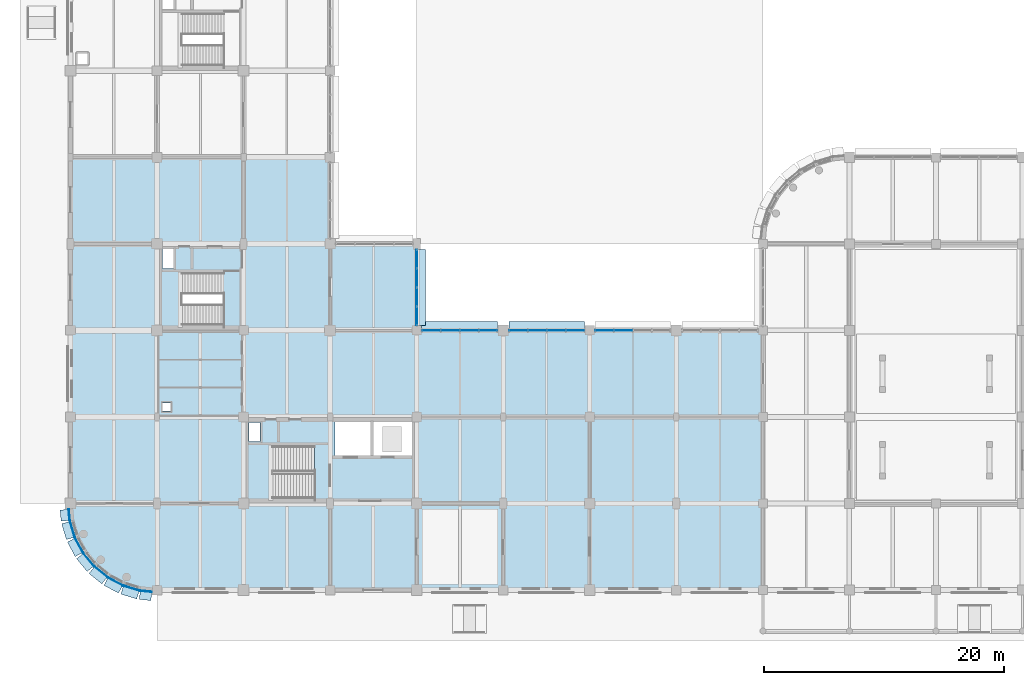
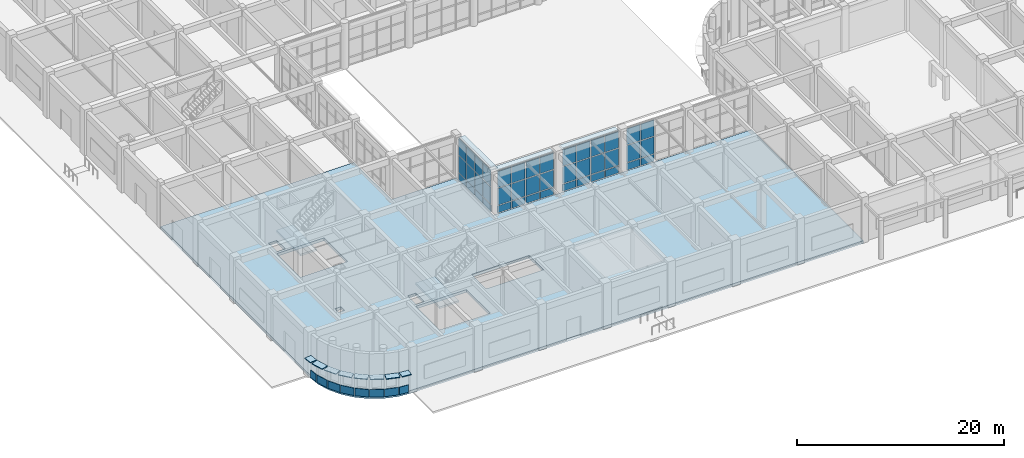
# One storey, part 112 of 160: 61 plates, 3 slabs, 6 elements without a shape of their own.
"""IFC4 building model written with IfcOpenShell, lengths in metres."""

from ifc_helpers import new_model, si_unit, direction, frame, origin, origin_2d, place, context, subcontext, project, spatial, polyline, rectangle, outline, extrude, material, layer, layer_set, type_object, element, aggregate, save


model = new_model("IFC4")

# Units and contexts
model_context = context("Model", 3, precision=1e-05, world=origin(), true_north=direction((0.0, 1.0)))
body_context = subcontext(model_context, "Body", "Model", "MODEL_VIEW")
ifc_project = project(units=[si_unit("LENGTHUNIT", "METRE"), si_unit("AREAUNIT", "SQUARE_METRE"), si_unit("VOLUMEUNIT", "CUBIC_METRE"), si_unit("PLANEANGLEUNIT", "RADIAN"), si_unit("MASSUNIT", "GRAM", prefix="KILO")], contexts=[model_context])

# Site, building, storey
site_placement = place(None, origin())
site = spatial("IfcSite", under=ifc_project, at=site_placement, CompositionType="ELEMENT")
building_placement = place(site_placement, origin())
building = spatial("IfcBuilding", under=site, at=building_placement, Name="Thalmaran Polytechnic", CompositionType="ELEMENT")
storey_placement = place(building_placement, origin())
storey = spatial("IfcBuildingStorey", under=building, at=storey_placement, Name="L00", CompositionType="ELEMENT", Elevation=0.0)

# Plates
ifc_material_1 = material(Name="Anodised aluminium spandrel band", Category="aluminium")
ifc_layer_1 = layer(ifc_material_1, 0.054931640625, Name="Anodised aluminium spandrel band")
ifc_layer_set_1 = layer_set([ifc_layer_1], Name="Anodised aluminium spandrel band")
plate_type_1 = type_object("IfcPlateType", Name="PT-BD01", PredefinedType="SHEET", material=ifc_layer_set_1)
plate_1_placement = place(storey_placement, frame((-0.103271484375, 6.259521484375, 0.02001953125), z_axis=(0.0, 0.0, 1.0), x_axis=(-0.09801714033, 0.995184726672, 0.0)))
element("IfcPlate", 1, at=plate_1_placement, inside=storey, type_object=plate_type_1, Name="Streamline Horizontal Spandrel Band L00-001", PredefinedType="SHEET", context=body_context, shape_type="SweptSolid", body=[
    extrude(rectangle(XDim=0.931396484375, YDim=0.054931640625, at=origin_2d()), origin(), (0.0, 0.0, 1.0), 0.8798828125),
])
plate_2_placement = place(storey_placement, frame((6.279541015625, -0.105224609375, 0.02001953125), z_axis=(0.0, 0.0, 1.0), x_axis=(-0.995184726672, 0.09801714033, 0.0)))
element("IfcPlate", 2, at=plate_2_placement, inside=storey, type_object=plate_type_1, Name="Streamline Horizontal Spandrel Band L00-092", PredefinedType="SHEET", context=body_context, shape_type="SweptSolid", body=[
    extrude(rectangle(XDim=0.971435546875, YDim=0.054931640625, at=origin_2d()), origin(), (0.0, 0.0, 1.0), 0.8798828125),
])
for number, where, z_axis, x_axis, name in (
    (3, (5.0634765625, 0.156494140625, 0.02001953125), (0.0, 0.0, 1.0), (-0.956940335732, 0.290284677254, 0.0), "Streamline Horizontal Spandrel Band L00-093"),
    (4, (3.73046875, 0.708740234375, 0.02001953125), (0.0, 0.0, 1.0), (-0.881921264348, 0.471396736826, 0.0), "Streamline Horizontal Spandrel Band L00-094"),
    (5, (2.53076171875, 1.510498046875, 0.02001953125), (0.0, 0.0, 1.0), (-0.773010453363, 0.634393284164, 0.0), "Streamline Horizontal Spandrel Band L00-095"),
    (6, (1.510498046875, 2.53076171875, 0.02001953125), (0.0, 0.0, 1.0), (-0.634393284164, 0.773010453363, 0.0), "Streamline Horizontal Spandrel Band L00-096"),
    (7, (0.708740234375, 3.73046875, 0.02001953125), (0.0, 0.0, 1.0), (-0.471396736826, 0.881921264348, 0.0), "Streamline Horizontal Spandrel Band L00-097"),
    (8, (0.156494140625, 5.0634765625, 0.02001953125), (0.0, 0.0, 1.0), (-0.290284677254, 0.956940335732, 0.0), "Streamline Horizontal Spandrel Band L00-098"),
):
    element("IfcPlate", number, at=place(storey_placement, frame(where, z_axis=z_axis, x_axis=x_axis)), inside=storey, type_object=plate_type_1, Name=name, PredefinedType="SHEET", context=body_context, shape_type="SweptSolid", body=[
        extrude(rectangle(XDim=1.371337890625, YDim=0.054931640625, at=origin_2d()), origin(), (0.0, 0.0, 1.0), 0.8798828125),
    ])
ifc_material_2 = material(Name="Anodised aluminium sun-hood eyebrow", Category="aluminium")
ifc_layer_2 = layer(ifc_material_2, 0.0849609375, Name="Anodised aluminium sun-hood eyebrow")
ifc_layer_set_2 = layer_set([ifc_layer_2], Name="Anodised aluminium sun-hood eyebrow")
plate_type_2 = type_object("IfcPlateType", Name="PT-EB01", PredefinedType="SHEET", material=ifc_layer_set_2)
plate_3_placement = place(storey_placement, frame((-0.44677734375, 6.225830078125, 2.517578125), z_axis=(0.0, 0.0, 1.0), x_axis=(-0.09801714033, 0.995184726672, 0.0)))
element("IfcPlate", 9, at=plate_3_placement, inside=storey, type_object=plate_type_2, Name="Streamline Sun-Hood Eyebrow L00-001", PredefinedType="SHEET", context=body_context, shape_type="SweptSolid", body=[
    extrude(rectangle(XDim=0.931396484375, YDim=0.760009765625, at=origin_2d()), origin(), (0.0, 0.0, 1.0), 0.0849609375),
])
plate_4_placement = place(storey_placement, frame((6.24560546875, -0.44873046875, 2.517578125), z_axis=(0.0, 0.0, 1.0), x_axis=(-0.995184726672, 0.09801714033, 0.0)))
element("IfcPlate", 10, at=plate_4_placement, inside=storey, type_object=plate_type_2, Name="Streamline Sun-Hood Eyebrow L00-092", PredefinedType="SHEET", context=body_context, shape_type="SweptSolid", body=[
    extrude(rectangle(XDim=0.971435546875, YDim=0.760009765625, at=origin_2d()), origin(), (0.0, 0.0, 1.0), 0.0849609375),
])
for number, where, z_axis, x_axis, name in (
    (11, (4.96337890625, -0.173583984375, 2.517578125), (0.0, 0.0, 1.0), (-0.956940335732, 0.290284677254, 0.0), "Streamline Sun-Hood Eyebrow L00-093"),
    (12, (3.567626953125, 0.404541015625, 2.517578125), (0.0, 0.0, 1.0), (-0.881921264348, 0.471396736826, 0.0), "Streamline Sun-Hood Eyebrow L00-094"),
    (13, (2.311767578125, 1.24365234375, 2.517578125), (0.0, 0.0, 1.0), (-0.773010453363, 0.634393284164, 0.0), "Streamline Sun-Hood Eyebrow L00-095"),
    (14, (1.24365234375, 2.311767578125, 2.517578125), (0.0, 0.0, 1.0), (-0.634393284164, 0.773010453363, 0.0), "Streamline Sun-Hood Eyebrow L00-096"),
    (15, (0.404541015625, 3.567626953125, 2.517578125), (0.0, 0.0, 1.0), (-0.471396736826, 0.881921264348, 0.0), "Streamline Sun-Hood Eyebrow L00-097"),
    (16, (-0.173583984375, 4.96337890625, 2.517578125), (0.0, 0.0, 1.0), (-0.290284677254, 0.956940335732, 0.0), "Streamline Sun-Hood Eyebrow L00-098"),
):
    element("IfcPlate", number, at=place(storey_placement, frame(where, z_axis=z_axis, x_axis=x_axis)), inside=storey, type_object=plate_type_2, Name=name, PredefinedType="SHEET", context=body_context, shape_type="SweptSolid", body=[
        extrude(rectangle(XDim=1.371337890625, YDim=0.760009765625, at=origin_2d()), origin(), (0.0, 0.0, 1.0), 0.0849609375),
    ])
for number, where, z_axis, x_axis, name in (
    (17, (29.159912109375, 25.175048828125, 4.987548828125), (0.0, 0.0, 1.0), (0.0, -1.0, 0.0), "Streamline Sun-Hood Eyebrow L00-CW049"),
    (18, (32.375, 21.9599609375, 4.987548828125), (0.0, 0.0, 1.0), (1.0, 0.0, 0.0), "Streamline Sun-Hood Eyebrow L00-CW050"),
    (19, (39.625, 21.9599609375, 4.987548828125), (0.0, 0.0, 1.0), (1.0, 0.0, 0.0), "Streamline Sun-Hood Eyebrow L00-CW051"),
):
    element("IfcPlate", number, at=place(storey_placement, frame(where, z_axis=z_axis, x_axis=x_axis)), inside=storey, type_object=plate_type_2, Name=name, PredefinedType="SHEET", context=body_context, shape_type="SweptSolid", body=[
        extrude(rectangle(XDim=6.31005859375, YDim=0.760009765625, at=origin_2d()), origin(), (0.0, 0.0, 1.0), 0.0849609375),
    ])

# Curtain wall, plates
ifc_material_3 = material(Name="Aluminium 6063-T6", Category="aluminium")
curtain_wall_type = type_object("IfcCurtainWallType", Name="CW-UC01", PredefinedType="USERDEFINED", material=ifc_material_3)
curtain_wall_1_placement = place(storey_placement, origin())
curtain_wall_1 = element("IfcCurtainWall", 20, at=curtain_wall_1_placement, inside=storey, type_object=curtain_wall_type, Name="Curtain Wall CW-L00-050", ObjectType="UNITISED CURTAIN WALL", PredefinedType="USERDEFINED")
ifc_material_4 = material(Name="Solar-control double low-E glass", Category="glass")
ifc_layer_3 = layer(ifc_material_4, 0.035888671875, Name="Solar-control double low-E glass")
ifc_layer_set_3 = layer_set([ifc_layer_3], Name="Solar-control double low-E glass")
plate_type_3 = type_object("IfcPlateType", Name="PT-GL01", PredefinedType="CURTAIN_PANEL", material=ifc_layer_set_3)
plate_5_placement = place(storey_placement, frame((29.99365234375, 21.60009765625, 1.0), z_axis=(0.0, 0.0, 1.0), x_axis=(1.0, 0.0, 0.0)))
plate_5 = element("IfcPlate", 21, at=plate_5_placement, type_object=plate_type_3, Name="CW-L00-050 Vision Panel 1-2", PredefinedType="CURTAIN_PANEL", context=body_context, shape_type="SweptSolid", body=[
    extrude(rectangle(XDim=1.487548828125, YDim=0.035888671875, at=origin_2d()), origin(), (0.0, 0.0, 1.0), 1.985107421875),
])
plate_6_placement = place(storey_placement, frame((29.99365234375, 21.60009765625, 3.06494140625), z_axis=(0.0, 0.0, 1.0), x_axis=(1.0, 0.0, 0.0)))
plate_6 = element("IfcPlate", 22, at=plate_6_placement, type_object=plate_type_3, Name="CW-L00-050 Vision Panel 1-3", PredefinedType="CURTAIN_PANEL", context=body_context, shape_type="SweptSolid", body=[
    extrude(rectangle(XDim=1.487548828125, YDim=0.035888671875, at=origin_2d()), origin(), (0.0, 0.0, 1.0), 1.925048828125),
])
plate_7_placement = place(storey_placement, frame((31.581298828125, 21.60009765625, 1.0), z_axis=(0.0, 0.0, 1.0), x_axis=(1.0, 0.0, 0.0)))
plate_7 = element("IfcPlate", 23, at=plate_7_placement, type_object=plate_type_3, Name="CW-L00-050 Vision Panel 2-2", PredefinedType="CURTAIN_PANEL", context=body_context, shape_type="SweptSolid", body=[
    extrude(rectangle(XDim=1.487548828125, YDim=0.035888671875, at=origin_2d()), origin(), (0.0, 0.0, 1.0), 1.985107421875),
])
plate_8_placement = place(storey_placement, frame((31.581298828125, 21.60009765625, 3.06494140625), z_axis=(0.0, 0.0, 1.0), x_axis=(1.0, 0.0, 0.0)))
plate_8 = element("IfcPlate", 24, at=plate_8_placement, type_object=plate_type_3, Name="CW-L00-050 Vision Panel 2-3", PredefinedType="CURTAIN_PANEL", context=body_context, shape_type="SweptSolid", body=[
    extrude(rectangle(XDim=1.487548828125, YDim=0.035888671875, at=origin_2d()), origin(), (0.0, 0.0, 1.0), 1.925048828125),
])
plate_9_placement = place(storey_placement, frame((33.168701171875, 21.60009765625, 1.0), z_axis=(0.0, 0.0, 1.0), x_axis=(1.0, 0.0, 0.0)))
plate_9 = element("IfcPlate", 25, at=plate_9_placement, type_object=plate_type_3, Name="CW-L00-050 Vision Panel 3-2", PredefinedType="CURTAIN_PANEL", context=body_context, shape_type="SweptSolid", body=[
    extrude(rectangle(XDim=1.487548828125, YDim=0.035888671875, at=origin_2d()), origin(), (0.0, 0.0, 1.0), 1.985107421875),
])
plate_10_placement = place(storey_placement, frame((33.168701171875, 21.60009765625, 3.06494140625), z_axis=(0.0, 0.0, 1.0), x_axis=(1.0, 0.0, 0.0)))
plate_10 = element("IfcPlate", 26, at=plate_10_placement, type_object=plate_type_3, Name="CW-L00-050 Vision Panel 3-3", PredefinedType="CURTAIN_PANEL", context=body_context, shape_type="SweptSolid", body=[
    extrude(rectangle(XDim=1.487548828125, YDim=0.035888671875, at=origin_2d()), origin(), (0.0, 0.0, 1.0), 1.925048828125),
])
plate_11_placement = place(storey_placement, frame((34.75634765625, 21.60009765625, 1.0), z_axis=(0.0, 0.0, 1.0), x_axis=(1.0, 0.0, 0.0)))
plate_11 = element("IfcPlate", 27, at=plate_11_placement, type_object=plate_type_3, Name="CW-L00-050 Vision Panel 4-2", PredefinedType="CURTAIN_PANEL", context=body_context, shape_type="SweptSolid", body=[
    extrude(rectangle(XDim=1.487548828125, YDim=0.035888671875, at=origin_2d()), origin(), (0.0, 0.0, 1.0), 1.985107421875),
])
plate_12_placement = place(storey_placement, frame((34.75634765625, 21.60009765625, 3.06494140625), z_axis=(0.0, 0.0, 1.0), x_axis=(1.0, 0.0, 0.0)))
plate_12 = element("IfcPlate", 28, at=plate_12_placement, type_object=plate_type_3, Name="CW-L00-050 Vision Panel 4-3", PredefinedType="CURTAIN_PANEL", context=body_context, shape_type="SweptSolid", body=[
    extrude(rectangle(XDim=1.487548828125, YDim=0.035888671875, at=origin_2d()), origin(), (0.0, 0.0, 1.0), 1.925048828125),
])

curtain_wall_2_placement = place(storey_placement, origin())
curtain_wall_2 = element("IfcCurtainWall", 29, at=curtain_wall_2_placement, inside=storey, type_object=curtain_wall_type, Name="Curtain Wall CW-L00-051", ObjectType="UNITISED CURTAIN WALL", PredefinedType="USERDEFINED")
ifc_layer_4 = layer(ifc_material_4, 0.035888671875, Name="Solar-control double low-E glass")
ifc_layer_set_4 = layer_set([ifc_layer_4], Name="Solar-control double low-E glass")
plate_type_4 = type_object("IfcPlateType", Name="PT-GL02", PredefinedType="CURTAIN_PANEL", material=ifc_layer_set_4)
plate_13_placement = place(storey_placement, frame((37.24365234375, 21.60009765625, 1.0), z_axis=(0.0, 0.0, 1.0), x_axis=(1.0, 0.0, 0.0)))
plate_13 = element("IfcPlate", 30, at=plate_13_placement, type_object=plate_type_4, Name="CW-L00-051 Vision Panel 1-2", PredefinedType="CURTAIN_PANEL", context=body_context, shape_type="SweptSolid", body=[
    extrude(rectangle(XDim=1.487548828125, YDim=0.035888671875, at=origin_2d()), origin(), (0.0, 0.0, 1.0), 1.985107421875),
])
plate_14_placement = place(storey_placement, frame((37.24365234375, 21.60009765625, 3.06494140625), z_axis=(0.0, 0.0, 1.0), x_axis=(1.0, 0.0, 0.0)))
plate_14 = element("IfcPlate", 31, at=plate_14_placement, type_object=plate_type_4, Name="CW-L00-051 Vision Panel 1-3", PredefinedType="CURTAIN_PANEL", context=body_context, shape_type="SweptSolid", body=[
    extrude(rectangle(XDim=1.487548828125, YDim=0.035888671875, at=origin_2d()), origin(), (0.0, 0.0, 1.0), 1.925048828125),
])
plate_15_placement = place(storey_placement, frame((38.831298828125, 21.60009765625, 1.0), z_axis=(0.0, 0.0, 1.0), x_axis=(1.0, 0.0, 0.0)))
plate_15 = element("IfcPlate", 32, at=plate_15_placement, type_object=plate_type_4, Name="CW-L00-051 Vision Panel 2-2", PredefinedType="CURTAIN_PANEL", context=body_context, shape_type="SweptSolid", body=[
    extrude(rectangle(XDim=1.487548828125, YDim=0.035888671875, at=origin_2d()), origin(), (0.0, 0.0, 1.0), 1.985107421875),
])
plate_16_placement = place(storey_placement, frame((38.831298828125, 21.60009765625, 3.06494140625), z_axis=(0.0, 0.0, 1.0), x_axis=(1.0, 0.0, 0.0)))
plate_16 = element("IfcPlate", 33, at=plate_16_placement, type_object=plate_type_4, Name="CW-L00-051 Vision Panel 2-3", PredefinedType="CURTAIN_PANEL", context=body_context, shape_type="SweptSolid", body=[
    extrude(rectangle(XDim=1.487548828125, YDim=0.035888671875, at=origin_2d()), origin(), (0.0, 0.0, 1.0), 1.925048828125),
])
plate_17_placement = place(storey_placement, frame((40.418701171875, 21.60009765625, 1.0), z_axis=(0.0, 0.0, 1.0), x_axis=(1.0, 0.0, 0.0)))
plate_17 = element("IfcPlate", 34, at=plate_17_placement, type_object=plate_type_4, Name="CW-L00-051 Vision Panel 3-2", PredefinedType="CURTAIN_PANEL", context=body_context, shape_type="SweptSolid", body=[
    extrude(rectangle(XDim=1.487548828125, YDim=0.035888671875, at=origin_2d()), origin(), (0.0, 0.0, 1.0), 1.985107421875),
])
plate_18_placement = place(storey_placement, frame((40.418701171875, 21.60009765625, 3.06494140625), z_axis=(0.0, 0.0, 1.0), x_axis=(1.0, 0.0, 0.0)))
plate_18 = element("IfcPlate", 35, at=plate_18_placement, type_object=plate_type_4, Name="CW-L00-051 Vision Panel 3-3", PredefinedType="CURTAIN_PANEL", context=body_context, shape_type="SweptSolid", body=[
    extrude(rectangle(XDim=1.487548828125, YDim=0.035888671875, at=origin_2d()), origin(), (0.0, 0.0, 1.0), 1.925048828125),
])
plate_19_placement = place(storey_placement, frame((42.00634765625, 21.60009765625, 1.0), z_axis=(0.0, 0.0, 1.0), x_axis=(1.0, 0.0, 0.0)))
plate_19 = element("IfcPlate", 36, at=plate_19_placement, type_object=plate_type_4, Name="CW-L00-051 Vision Panel 4-2", PredefinedType="CURTAIN_PANEL", context=body_context, shape_type="SweptSolid", body=[
    extrude(rectangle(XDim=1.487548828125, YDim=0.035888671875, at=origin_2d()), origin(), (0.0, 0.0, 1.0), 1.985107421875),
])
plate_20_placement = place(storey_placement, frame((42.00634765625, 21.60009765625, 3.06494140625), z_axis=(0.0, 0.0, 1.0), x_axis=(1.0, 0.0, 0.0)))
plate_20 = element("IfcPlate", 37, at=plate_20_placement, type_object=plate_type_4, Name="CW-L00-051 Vision Panel 4-3", PredefinedType="CURTAIN_PANEL", context=body_context, shape_type="SweptSolid", body=[
    extrude(rectangle(XDim=1.487548828125, YDim=0.035888671875, at=origin_2d()), origin(), (0.0, 0.0, 1.0), 1.925048828125),
])

curtain_wall_3_placement = place(storey_placement, origin())
curtain_wall_3 = element("IfcCurtainWall", 38, at=curtain_wall_3_placement, inside=storey, type_object=curtain_wall_type, Name="Curtain Wall CW-L00-052", ObjectType="UNITISED CURTAIN WALL", PredefinedType="USERDEFINED")
ifc_layer_5 = layer(ifc_material_4, 0.035888671875, Name="Solar-control double low-E glass")
ifc_layer_set_5 = layer_set([ifc_layer_5], Name="Solar-control double low-E glass")
plate_type_5 = type_object("IfcPlateType", Name="PT-GL03", PredefinedType="CURTAIN_PANEL", material=ifc_layer_set_5)
plate_21_placement = place(storey_placement, frame((44.393798828125, 21.60009765625, 1.0), z_axis=(0.0, 0.0, 1.0), x_axis=(1.0, 0.0, 0.0)))
plate_21 = element("IfcPlate", 39, at=plate_21_placement, type_object=plate_type_5, Name="CW-L00-052 Vision Panel 1-2", PredefinedType="CURTAIN_PANEL", context=body_context, shape_type="SweptSolid", body=[
    extrude(rectangle(XDim=1.487548828125, YDim=0.035888671875, at=origin_2d()), origin(), (0.0, 0.0, 1.0), 1.985107421875),
])
plate_22_placement = place(storey_placement, frame((44.393798828125, 21.60009765625, 3.06494140625), z_axis=(0.0, 0.0, 1.0), x_axis=(1.0, 0.0, 0.0)))
plate_22 = element("IfcPlate", 40, at=plate_22_placement, type_object=plate_type_5, Name="CW-L00-052 Vision Panel 1-3", PredefinedType="CURTAIN_PANEL", context=body_context, shape_type="SweptSolid", body=[
    extrude(rectangle(XDim=1.487548828125, YDim=0.035888671875, at=origin_2d()), origin(), (0.0, 0.0, 1.0), 1.925048828125),
])
plate_23_placement = place(storey_placement, frame((45.981201171875, 21.60009765625, 1.0), z_axis=(0.0, 0.0, 1.0), x_axis=(1.0, 0.0, 0.0)))
plate_23 = element("IfcPlate", 41, at=plate_23_placement, type_object=plate_type_5, Name="CW-L00-052 Vision Panel 2-2", PredefinedType="CURTAIN_PANEL", context=body_context, shape_type="SweptSolid", body=[
    extrude(rectangle(XDim=1.487548828125, YDim=0.035888671875, at=origin_2d()), origin(), (0.0, 0.0, 1.0), 1.985107421875),
])
plate_24_placement = place(storey_placement, frame((45.981201171875, 21.60009765625, 3.06494140625), z_axis=(0.0, 0.0, 1.0), x_axis=(1.0, 0.0, 0.0)))
plate_24 = element("IfcPlate", 42, at=plate_24_placement, type_object=plate_type_5, Name="CW-L00-052 Vision Panel 2-3", PredefinedType="CURTAIN_PANEL", context=body_context, shape_type="SweptSolid", body=[
    extrude(rectangle(XDim=1.487548828125, YDim=0.035888671875, at=origin_2d()), origin(), (0.0, 0.0, 1.0), 1.925048828125),
])

curtain_wall_4_placement = place(storey_placement, origin())
curtain_wall_4 = element("IfcCurtainWall", 43, at=curtain_wall_4_placement, inside=storey, type_object=curtain_wall_type, Name="Curtain Wall CW-L00-049", ObjectType="UNITISED CURTAIN WALL", PredefinedType="USERDEFINED")
ifc_layer_6 = layer(ifc_material_4, 0.035888671875, Name="Solar-control double low-E glass")
ifc_layer_set_6 = layer_set([ifc_layer_6], Name="Solar-control double low-E glass")
plate_type_6 = type_object("IfcPlateType", Name="PT-GL05", PredefinedType="CURTAIN_PANEL", material=ifc_layer_set_6)
plate_25_placement = place(storey_placement, frame((28.800048828125, 27.55615234375, 1.0), z_axis=(0.0, 0.0, 1.0), x_axis=(0.0, -1.0, 0.0)))
plate_25 = element("IfcPlate", 44, at=plate_25_placement, type_object=plate_type_6, Name="CW-L00-049 Vision Panel 1-2", PredefinedType="CURTAIN_PANEL", context=body_context, shape_type="SweptSolid", body=[
    extrude(rectangle(XDim=1.487548828125, YDim=0.035888671875, at=origin_2d()), origin(), (0.0, 0.0, 1.0), 1.985107421875),
])
plate_26_placement = place(storey_placement, frame((28.800048828125, 27.55615234375, 3.06494140625), z_axis=(0.0, 0.0, 1.0), x_axis=(0.0, -1.0, 0.0)))
plate_26 = element("IfcPlate", 45, at=plate_26_placement, type_object=plate_type_6, Name="CW-L00-049 Vision Panel 1-3", PredefinedType="CURTAIN_PANEL", context=body_context, shape_type="SweptSolid", body=[
    extrude(rectangle(XDim=1.487548828125, YDim=0.035888671875, at=origin_2d()), origin(), (0.0, 0.0, 1.0), 1.925048828125),
])
plate_27_placement = place(storey_placement, frame((28.800048828125, 25.96875, 1.0), z_axis=(0.0, 0.0, 1.0), x_axis=(0.0, -1.0, 0.0)))
plate_27 = element("IfcPlate", 46, at=plate_27_placement, type_object=plate_type_6, Name="CW-L00-049 Vision Panel 2-2", PredefinedType="CURTAIN_PANEL", context=body_context, shape_type="SweptSolid", body=[
    extrude(rectangle(XDim=1.487548828125, YDim=0.035888671875, at=origin_2d()), origin(), (0.0, 0.0, 1.0), 1.985107421875),
])
plate_28_placement = place(storey_placement, frame((28.800048828125, 25.96875, 3.06494140625), z_axis=(0.0, 0.0, 1.0), x_axis=(0.0, -1.0, 0.0)))
plate_28 = element("IfcPlate", 47, at=plate_28_placement, type_object=plate_type_6, Name="CW-L00-049 Vision Panel 2-3", PredefinedType="CURTAIN_PANEL", context=body_context, shape_type="SweptSolid", body=[
    extrude(rectangle(XDim=1.487548828125, YDim=0.035888671875, at=origin_2d()), origin(), (0.0, 0.0, 1.0), 1.925048828125),
])
plate_29_placement = place(storey_placement, frame((28.800048828125, 24.38134765625, 1.0), z_axis=(0.0, 0.0, 1.0), x_axis=(0.0, -1.0, 0.0)))
plate_29 = element("IfcPlate", 48, at=plate_29_placement, type_object=plate_type_6, Name="CW-L00-049 Vision Panel 3-2", PredefinedType="CURTAIN_PANEL", context=body_context, shape_type="SweptSolid", body=[
    extrude(rectangle(XDim=1.487548828125, YDim=0.035888671875, at=origin_2d()), origin(), (0.0, 0.0, 1.0), 1.985107421875),
])
plate_30_placement = place(storey_placement, frame((28.800048828125, 24.38134765625, 3.06494140625), z_axis=(0.0, 0.0, 1.0), x_axis=(0.0, -1.0, 0.0)))
plate_30 = element("IfcPlate", 49, at=plate_30_placement, type_object=plate_type_6, Name="CW-L00-049 Vision Panel 3-3", PredefinedType="CURTAIN_PANEL", context=body_context, shape_type="SweptSolid", body=[
    extrude(rectangle(XDim=1.487548828125, YDim=0.035888671875, at=origin_2d()), origin(), (0.0, 0.0, 1.0), 1.925048828125),
])
plate_31_placement = place(storey_placement, frame((28.800048828125, 22.793701171875, 1.0), z_axis=(0.0, 0.0, 1.0), x_axis=(0.0, -1.0, 0.0)))
plate_31 = element("IfcPlate", 50, at=plate_31_placement, type_object=plate_type_6, Name="CW-L00-049 Vision Panel 4-2", PredefinedType="CURTAIN_PANEL", context=body_context, shape_type="SweptSolid", body=[
    extrude(rectangle(XDim=1.487548828125, YDim=0.035888671875, at=origin_2d()), origin(), (0.0, 0.0, 1.0), 1.985107421875),
])
plate_32_placement = place(storey_placement, frame((28.800048828125, 22.793701171875, 3.06494140625), z_axis=(0.0, 0.0, 1.0), x_axis=(0.0, -1.0, 0.0)))
plate_32 = element("IfcPlate", 51, at=plate_32_placement, type_object=plate_type_6, Name="CW-L00-049 Vision Panel 4-3", PredefinedType="CURTAIN_PANEL", context=body_context, shape_type="SweptSolid", body=[
    extrude(rectangle(XDim=1.487548828125, YDim=0.035888671875, at=origin_2d()), origin(), (0.0, 0.0, 1.0), 1.925048828125),
])

# Plate
ifc_material_5 = material(Name="Insulated anodised aluminium spandrel", Category="aluminium")
ifc_layer_7 = layer(ifc_material_5, 0.06005859375, Name="Insulated anodised aluminium spandrel")
ifc_layer_set_7 = layer_set([ifc_layer_7], Name="Insulated anodised aluminium spandrel")
plate_type_7 = type_object("IfcPlateType", Name="PT-SP01", PredefinedType="CURTAIN_PANEL", material=ifc_layer_set_7)
plate_33_placement = place(storey_placement, frame((37.24365234375, 21.60009765625, 0.10009765625), z_axis=(0.0, 0.0, 1.0), x_axis=(1.0, 0.0, 0.0)))
plate_33 = element("IfcPlate", 52, at=plate_33_placement, type_object=plate_type_7, Name="CW-L00-051 Spandrel Panel 1-1", PredefinedType="CURTAIN_PANEL", context=body_context, shape_type="SweptSolid", body=[
    extrude(rectangle(XDim=1.487548828125, YDim=0.06005859375, at=origin_2d()), origin(), (0.0, 0.0, 1.0), 0.820068359375),
])

plate_34_placement = place(storey_placement, frame((38.831298828125, 21.60009765625, 0.10009765625), z_axis=(0.0, 0.0, 1.0), x_axis=(1.0, 0.0, 0.0)))
plate_34 = element("IfcPlate", 53, at=plate_34_placement, type_object=plate_type_7, Name="CW-L00-051 Spandrel Panel 2-1", PredefinedType="CURTAIN_PANEL", context=body_context, shape_type="SweptSolid", body=[
    extrude(rectangle(XDim=1.487548828125, YDim=0.06005859375, at=origin_2d()), origin(), (0.0, 0.0, 1.0), 0.820068359375),
])

plate_35_placement = place(storey_placement, frame((40.418701171875, 21.60009765625, 0.10009765625), z_axis=(0.0, 0.0, 1.0), x_axis=(1.0, 0.0, 0.0)))
plate_35 = element("IfcPlate", 54, at=plate_35_placement, type_object=plate_type_7, Name="CW-L00-051 Spandrel Panel 3-1", PredefinedType="CURTAIN_PANEL", context=body_context, shape_type="SweptSolid", body=[
    extrude(rectangle(XDim=1.487548828125, YDim=0.06005859375, at=origin_2d()), origin(), (0.0, 0.0, 1.0), 0.820068359375),
])

plate_36_placement = place(storey_placement, frame((42.00634765625, 21.60009765625, 0.10009765625), z_axis=(0.0, 0.0, 1.0), x_axis=(1.0, 0.0, 0.0)))
plate_36 = element("IfcPlate", 55, at=plate_36_placement, type_object=plate_type_7, Name="CW-L00-051 Spandrel Panel 4-1", PredefinedType="CURTAIN_PANEL", context=body_context, shape_type="SweptSolid", body=[
    extrude(rectangle(XDim=1.487548828125, YDim=0.06005859375, at=origin_2d()), origin(), (0.0, 0.0, 1.0), 0.820068359375),
])

aggregate(curtain_wall_2, [plate_33, plate_13, plate_14, plate_34, plate_15, plate_16, plate_35, plate_17, plate_18, plate_36, plate_19, plate_20])

ifc_layer_8 = layer(ifc_material_5, 0.06005859375, Name="Insulated anodised aluminium spandrel")
ifc_layer_set_8 = layer_set([ifc_layer_8], Name="Insulated anodised aluminium spandrel")
plate_type_8 = type_object("IfcPlateType", Name="PT-SP02", PredefinedType="CURTAIN_PANEL", material=ifc_layer_set_8)
plate_37_placement = place(storey_placement, frame((28.800048828125, 27.55615234375, 0.10009765625), z_axis=(0.0, 0.0, 1.0), x_axis=(0.0, -1.0, 0.0)))
plate_37 = element("IfcPlate", 56, at=plate_37_placement, type_object=plate_type_8, Name="CW-L00-049 Spandrel Panel 1-1", PredefinedType="CURTAIN_PANEL", context=body_context, shape_type="SweptSolid", body=[
    extrude(rectangle(XDim=1.487548828125, YDim=0.06005859375, at=origin_2d()), origin(), (0.0, 0.0, 1.0), 0.820068359375),
])

plate_38_placement = place(storey_placement, frame((28.800048828125, 25.96875, 0.10009765625), z_axis=(0.0, 0.0, 1.0), x_axis=(0.0, -1.0, 0.0)))
plate_38 = element("IfcPlate", 57, at=plate_38_placement, type_object=plate_type_8, Name="CW-L00-049 Spandrel Panel 2-1", PredefinedType="CURTAIN_PANEL", context=body_context, shape_type="SweptSolid", body=[
    extrude(rectangle(XDim=1.487548828125, YDim=0.06005859375, at=origin_2d()), origin(), (0.0, 0.0, 1.0), 0.820068359375),
])

plate_39_placement = place(storey_placement, frame((28.800048828125, 24.38134765625, 0.10009765625), z_axis=(0.0, 0.0, 1.0), x_axis=(0.0, -1.0, 0.0)))
plate_39 = element("IfcPlate", 58, at=plate_39_placement, type_object=plate_type_8, Name="CW-L00-049 Spandrel Panel 3-1", PredefinedType="CURTAIN_PANEL", context=body_context, shape_type="SweptSolid", body=[
    extrude(rectangle(XDim=1.487548828125, YDim=0.06005859375, at=origin_2d()), origin(), (0.0, 0.0, 1.0), 0.820068359375),
])

plate_40_placement = place(storey_placement, frame((28.800048828125, 22.793701171875, 0.10009765625), z_axis=(0.0, 0.0, 1.0), x_axis=(0.0, -1.0, 0.0)))
plate_40 = element("IfcPlate", 59, at=plate_40_placement, type_object=plate_type_8, Name="CW-L00-049 Spandrel Panel 4-1", PredefinedType="CURTAIN_PANEL", context=body_context, shape_type="SweptSolid", body=[
    extrude(rectangle(XDim=1.487548828125, YDim=0.06005859375, at=origin_2d()), origin(), (0.0, 0.0, 1.0), 0.820068359375),
])

aggregate(curtain_wall_4, [plate_37, plate_25, plate_26, plate_38, plate_27, plate_28, plate_39, plate_29, plate_30, plate_40, plate_31, plate_32])

plate_41_placement = place(storey_placement, frame((44.393798828125, 21.60009765625, 0.10009765625), z_axis=(0.0, 0.0, 1.0), x_axis=(1.0, 0.0, 0.0)))
plate_41 = element("IfcPlate", 60, at=plate_41_placement, type_object=plate_type_8, Name="CW-L00-052 Spandrel Panel 1-1", PredefinedType="CURTAIN_PANEL", context=body_context, shape_type="SweptSolid", body=[
    extrude(rectangle(XDim=1.487548828125, YDim=0.06005859375, at=origin_2d()), origin(), (0.0, 0.0, 1.0), 0.820068359375),
])

plate_42_placement = place(storey_placement, frame((45.981201171875, 21.60009765625, 0.10009765625), z_axis=(0.0, 0.0, 1.0), x_axis=(1.0, 0.0, 0.0)))
plate_42 = element("IfcPlate", 61, at=plate_42_placement, type_object=plate_type_8, Name="CW-L00-052 Spandrel Panel 2-1", PredefinedType="CURTAIN_PANEL", context=body_context, shape_type="SweptSolid", body=[
    extrude(rectangle(XDim=1.487548828125, YDim=0.06005859375, at=origin_2d()), origin(), (0.0, 0.0, 1.0), 0.820068359375),
])

aggregate(curtain_wall_3, [plate_41, plate_21, plate_22, plate_42, plate_23, plate_24])

ifc_layer_9 = layer(ifc_material_5, 0.06005859375, Name="Insulated anodised aluminium spandrel")
ifc_layer_set_9 = layer_set([ifc_layer_9], Name="Insulated anodised aluminium spandrel")
plate_type_9 = type_object("IfcPlateType", Name="PT-SP03", PredefinedType="CURTAIN_PANEL", material=ifc_layer_set_9)
plate_43_placement = place(storey_placement, frame((29.99365234375, 21.60009765625, 0.10009765625), z_axis=(0.0, 0.0, 1.0), x_axis=(1.0, 0.0, 0.0)))
plate_43 = element("IfcPlate", 62, at=plate_43_placement, type_object=plate_type_9, Name="CW-L00-050 Spandrel Panel 1-1", PredefinedType="CURTAIN_PANEL", context=body_context, shape_type="SweptSolid", body=[
    extrude(rectangle(XDim=1.487548828125, YDim=0.06005859375, at=origin_2d()), origin(), (0.0, 0.0, 1.0), 0.820068359375),
])

plate_44_placement = place(storey_placement, frame((31.581298828125, 21.60009765625, 0.10009765625), z_axis=(0.0, 0.0, 1.0), x_axis=(1.0, 0.0, 0.0)))
plate_44 = element("IfcPlate", 63, at=plate_44_placement, type_object=plate_type_9, Name="CW-L00-050 Spandrel Panel 2-1", PredefinedType="CURTAIN_PANEL", context=body_context, shape_type="SweptSolid", body=[
    extrude(rectangle(XDim=1.487548828125, YDim=0.06005859375, at=origin_2d()), origin(), (0.0, 0.0, 1.0), 0.820068359375),
])

plate_45_placement = place(storey_placement, frame((33.168701171875, 21.60009765625, 0.10009765625), z_axis=(0.0, 0.0, 1.0), x_axis=(1.0, 0.0, 0.0)))
plate_45 = element("IfcPlate", 64, at=plate_45_placement, type_object=plate_type_9, Name="CW-L00-050 Spandrel Panel 3-1", PredefinedType="CURTAIN_PANEL", context=body_context, shape_type="SweptSolid", body=[
    extrude(rectangle(XDim=1.487548828125, YDim=0.06005859375, at=origin_2d()), origin(), (0.0, 0.0, 1.0), 0.820068359375),
])

plate_46_placement = place(storey_placement, frame((34.75634765625, 21.60009765625, 0.10009765625), z_axis=(0.0, 0.0, 1.0), x_axis=(1.0, 0.0, 0.0)))
plate_46 = element("IfcPlate", 65, at=plate_46_placement, type_object=plate_type_9, Name="CW-L00-050 Spandrel Panel 4-1", PredefinedType="CURTAIN_PANEL", context=body_context, shape_type="SweptSolid", body=[
    extrude(rectangle(XDim=1.487548828125, YDim=0.06005859375, at=origin_2d()), origin(), (0.0, 0.0, 1.0), 0.820068359375),
])

aggregate(curtain_wall_1, [plate_43, plate_5, plate_6, plate_44, plate_7, plate_8, plate_45, plate_9, plate_10, plate_46, plate_11, plate_12])

# Slab
ifc_material_6 = material(Name="Concrete C40/50", Category="concrete")
ifc_layer_10 = layer(ifc_material_6, 0.330078125, Name="Concrete C40/50")
ifc_layer_set_10 = layer_set([ifc_layer_10], Name="Concrete C40/50")
slab_type_1 = type_object("IfcSlabType", Name="SL-FL02", PredefinedType="FLOOR", material=ifc_layer_set_10)
slab_1_placement = place(storey_placement, frame((0.0, 0.0, -0.330078125)))
element("IfcSlab", 66, at=slab_1_placement, inside=storey, type_object=slab_type_1, Name="V1S L00 Structural Slab", PredefinedType="FLOOR", context=body_context, shape_type="SweptSolid", body=[
    extrude(outline(polyline([(0.0, 21.60009765625), (0.0, 28.800048828125), (0.0, 36.0), (7.199951171875, 36.0), (14.39990234375, 36.0), (21.60009765625, 36.0), (21.60009765625, 28.800048828125), (28.800048828125, 28.800048828125), (28.800048828125, 21.60009765625), (36.0, 21.60009765625), (43.199951171875, 21.60009765625), (50.39990234375, 21.60009765625), (57.60009765625, 21.60009765625), (57.60009765625, 14.39990234375), (57.60009765625, 7.199951171875), (57.60009765625, 0.0), (50.39990234375, 0.0), (43.199951171875, 0.0), (36.0, 0.0), (28.800048828125, 0.0), (21.60009765625, 0.0), (14.39990234375, 0.0), (7.199951171875, 0.0), (5.79541015625, 0.138427734375), (4.444580078125, 0.548095703125), (3.199951171875, 1.21337890625), (2.10888671875, 2.10888671875), (1.21337890625, 3.199951171875), (0.548095703125, 4.444580078125), (0.138427734375, 5.79541015625), (0.0, 7.199951171875), (0.0, 14.39990234375), (0.0, 21.60009765625)]), holes=[polyline([(28.39990234375, 11.199951171875), (28.39990234375, 14.0), (22.0, 14.0), (22.0, 11.199951171875), (28.39990234375, 11.199951171875)]), polyline([(14.64990234375, 12.0400390625), (14.64990234375, 7.449951171875), (20.280029296875, 7.449951171875), (20.280029296875, 12.0400390625), (14.64990234375, 12.0400390625)]), polyline([(15.760009765625, 13.9599609375), (14.840087890625, 13.9599609375), (14.840087890625, 12.340087890625), (15.760009765625, 12.340087890625), (15.760009765625, 13.9599609375)]), polyline([(7.449951171875, 21.85009765625), (12.719970703125, 21.85009765625), (12.719970703125, 26.43994140625), (7.449951171875, 26.43994140625), (7.449951171875, 21.85009765625)]), polyline([(7.639892578125, 28.360107421875), (7.639892578125, 26.739990234375), (8.56005859375, 26.739990234375), (8.56005859375, 28.360107421875), (7.639892578125, 28.360107421875)]), polyline([(8.35009765625, 15.580078125), (7.64990234375, 15.580078125), (7.64990234375, 14.8798828125), (8.35009765625, 14.8798828125), (8.35009765625, 15.580078125)])]), origin(), (0.0, 0.0, 1.0), 0.330078125),
])

# Stair, slab
stair_type = type_object("IfcStairType", Name="ST-HT54", PredefinedType="HALF_TURN_STAIR", material=ifc_material_6)
stair_1_placement = place(storey_placement, origin())
stair_1 = element("IfcStair", 67, at=stair_1_placement, inside=storey, type_object=stair_type, Name="Exit Stair ST1 L00", PredefinedType="HALF_TURN_STAIR")
ifc_layer_11 = layer(ifc_material_6, 0.2099609375, Name="Concrete C40/50")
ifc_layer_set_11 = layer_set([ifc_layer_11], Name="Concrete C40/50")
slab_type_2 = type_object("IfcSlabType", Name="SL-LD01", PredefinedType="LANDING", material=ifc_layer_set_11)
slab_2_placement = place(storey_placement, frame((0.0, 0.0, 2.489990234375)))
slab_2 = element("IfcSlab", 68, at=slab_2_placement, type_object=slab_type_2, Name="ST1 L00 Half Landing", PredefinedType="LANDING", context=body_context, shape_type="SweptSolid", body=[
    extrude(outline(polyline([(14.639892578125, 7.43994140625), (16.800048828125, 7.43994140625), (16.800048828125, 12.139892578125), (14.639892578125, 12.139892578125), (14.639892578125, 7.43994140625)])), origin(), (0.0, 0.0, 1.0), 0.2099609375),
])
aggregate(stair_1, [slab_2])

stair_2_placement = place(storey_placement, origin())
stair_2 = element("IfcStair", 69, at=stair_2_placement, inside=storey, type_object=stair_type, Name="Exit Stair ST3 L00", PredefinedType="HALF_TURN_STAIR")
slab_3_placement = place(storey_placement, frame((0.0, 0.0, 2.489990234375)))
slab_3 = element("IfcSlab", 70, at=slab_3_placement, type_object=slab_type_2, Name="ST3 L00 Half Landing", PredefinedType="LANDING", context=body_context, shape_type="SweptSolid", body=[
    extrude(outline(polyline([(7.43994140625, 21.840087890625), (9.260009765625, 21.840087890625), (9.260009765625, 26.5400390625), (7.43994140625, 26.5400390625), (7.43994140625, 21.840087890625)])), origin(), (0.0, 0.0, 1.0), 0.2099609375),
])
aggregate(stair_2, [slab_3])

save(model, "model.ifc")
